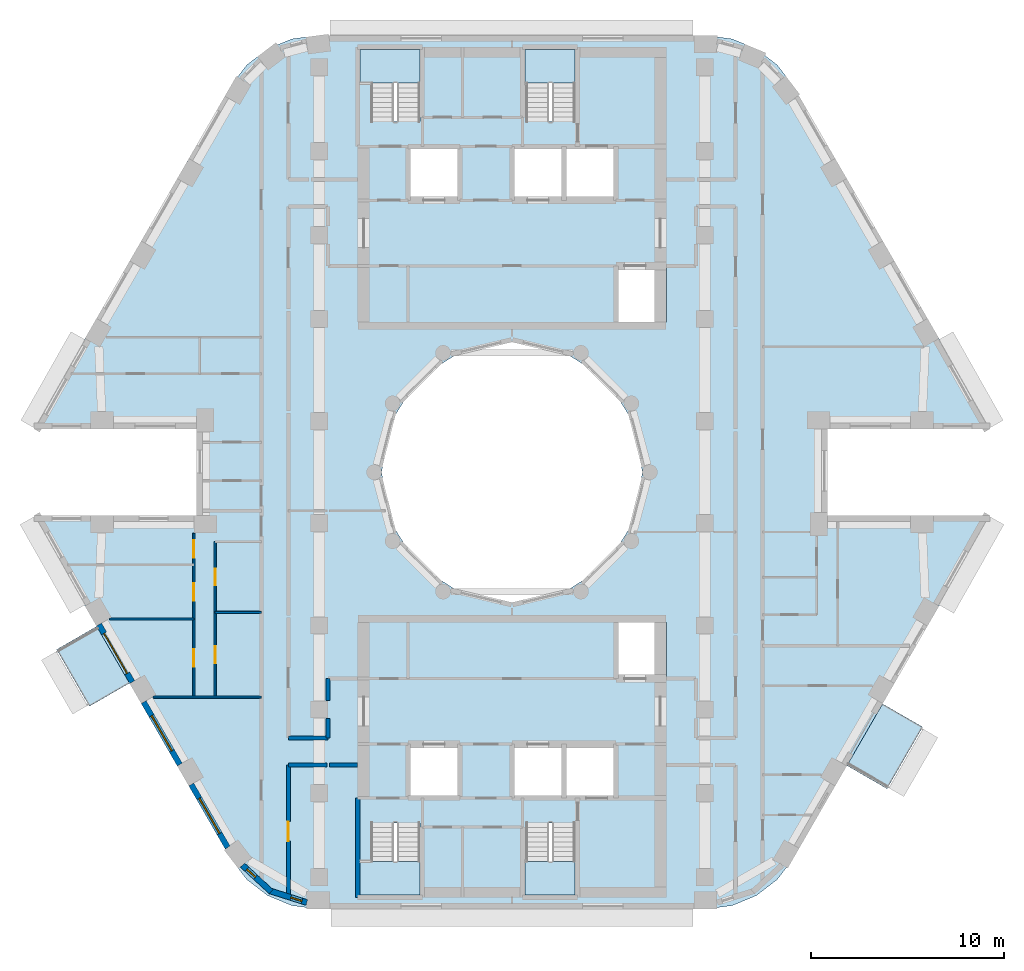
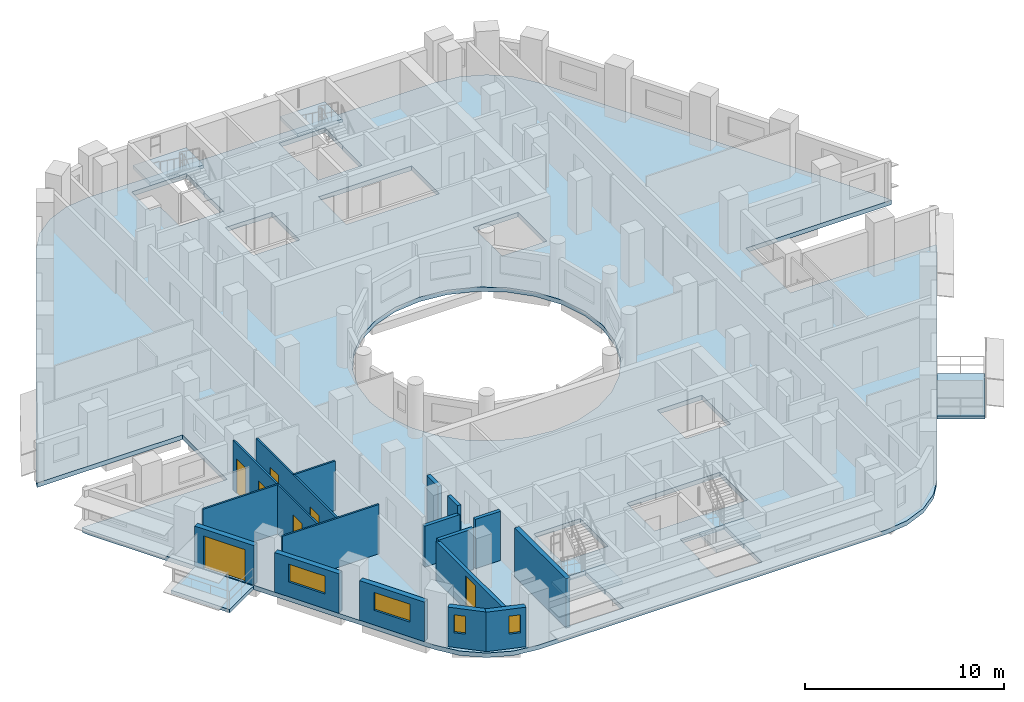
# One storey, part 2 of 15: 17 walls, 7 doors, 7 slabs, 4 windows, 11 openings, 4 elements without a shape of their own.
"""IFC4 building model written with IfcOpenShell, lengths in metres."""

from ifc_helpers import new_model, si_unit, direction, frame, frame_2d, origin, place, context, subcontext, project, spatial, polyline, rectangle, outline, extrude, material, layer, layer_set, type_object, element, fill, aggregate, save


model = new_model("IFC4")

# Units and contexts
model_context = context("Model", 3, precision=1e-05, world=origin(), true_north=direction((0.0, 1.0)))
body_context = subcontext(model_context, "Body", "Model", "MODEL_VIEW")
ifc_project = project(units=[si_unit("LENGTHUNIT", "METRE"), si_unit("AREAUNIT", "SQUARE_METRE"), si_unit("VOLUMEUNIT", "CUBIC_METRE"), si_unit("PLANEANGLEUNIT", "RADIAN"), si_unit("MASSUNIT", "GRAM", prefix="KILO")], contexts=[model_context])

# Site, building, storey
site_placement = place(None, origin())
site = spatial("IfcSite", under=ifc_project, at=site_placement, CompositionType="ELEMENT")
building_placement = place(site_placement, origin())
building = spatial("IfcBuilding", under=site, at=building_placement, Name="Nakaniwa Court", CompositionType="ELEMENT")
storey_placement = place(building_placement, frame((0.0, 0.0, 213.0)))
storey = spatial("IfcBuildingStorey", under=building, at=storey_placement, Name="L56", CompositionType="ELEMENT", Elevation=213.0)

# Slabs
ifc_material_1 = material(Name="Charcoal ceramic paver")
ifc_layer_1 = layer(ifc_material_1, 0.02, Name="Ceramic paver")
ifc_material_2 = material(Name="Cement sand screed")
ifc_layer_2 = layer(ifc_material_2, 0.03, Name="Falls screed")
ifc_material_3 = material(Name="Concrete C40/50", Category="concrete")
ifc_layer_3 = layer(ifc_material_3, 0.15, Name="Balcony slab")
ifc_layer_set_1 = layer_set([ifc_layer_1, ifc_layer_2, ifc_layer_3], Name="Concrete C40/50 balcony slab with ceramic paver finish")
slab_type_1 = type_object("IfcSlabType", Name="Balcony slab 200", PredefinedType="FLOOR", material=ifc_layer_set_1)
slab_1_placement = place(storey_placement, frame((0.0, 0.0, -0.25)))
element("IfcSlab", 1, at=slab_1_placement, inside=storey, type_object=slab_type_1, Name="L56 balcony 01", PredefinedType="FLOOR", context=body_context, shape_type="SweptSolid", body=[
    extrude(outline(polyline([(58.46142578125, 72.005859375), (60.160888671875, 69.062255859375), (58.08251953125, 67.8623046875), (56.383056640625, 70.805908203125), (58.46142578125, 72.005859375)])), origin(), (0.0, 0.0, 1.0), 0.199951171875),
])
slab_2_placement = place(storey_placement, frame((0.0, 0.0, -0.25)))
element("IfcSlab", 2, at=slab_2_placement, inside=storey, type_object=slab_type_1, Name="L56 balcony 02", PredefinedType="FLOOR", context=body_context, shape_type="SweptSolid", body=[
    extrude(outline(polyline([(97.370849609375, 64.787353515625), (99.218994140625, 67.98828125), (101.297607421875, 66.788330078125), (99.44921875, 63.58740234375), (97.370849609375, 64.787353515625)])), origin(), (0.0, 0.0, 1.0), 0.199951171875),
])
ifc_material_4 = material(Name="Concrete C80/100", Category="concrete")
ifc_layer_4 = layer(ifc_material_4, 0.27490234375)
ifc_layer_set_2 = layer_set([ifc_layer_4], Name="Concrete C80/100")
slab_type_2 = type_object("IfcSlabType", Name="Concrete C80/100 post tensioned floor slab 275", PredefinedType="FLOOR", material=ifc_layer_set_2)
slab_3_placement = place(storey_placement, frame((0.0, 0.0, -0.27490234375)))
element("IfcSlab", 3, at=slab_3_placement, inside=storey, type_object=slab_type_2, Name="FLOOR SLAB", PredefinedType="FLOOR", context=body_context, shape_type="SweptSolid", body=[
    extrude(outline(polyline([(96.349609375, 82.25), (104.7978515625, 82.25), (104.65283203125, 82.60009765625), (94.578125, 100.050048828125), (93.751708984375, 101.126953125), (92.6748046875, 101.953369140625), (91.420654296875, 102.472900390625), (90.07470703125, 102.64990234375), (69.92529296875, 102.64990234375), (68.579345703125, 102.472900390625), (67.3251953125, 101.953369140625), (66.248291015625, 101.126953125), (65.421875, 100.050048828125), (55.34716796875, 82.60009765625), (55.2021484375, 82.25), (63.650390625, 82.25), (63.650390625, 77.75), (55.2021484375, 77.75), (55.34716796875, 77.39990234375), (65.421875, 59.949951171875), (66.248291015625, 58.873046875), (67.3251953125, 58.046630859375), (68.579345703125, 57.527099609375), (69.92529296875, 57.35009765625), (90.07470703125, 57.35009765625), (91.420654296875, 57.527099609375), (92.6748046875, 58.046630859375), (93.751708984375, 58.873046875), (94.578125, 59.949951171875), (104.65283203125, 77.39990234375), (104.7978515625, 77.75), (96.349609375, 77.75), (96.349609375, 82.25)]), holes=[polyline([(81.501953125, 86.580810546875), (80.0, 86.75), (78.498046875, 86.580810546875), (77.0712890625, 86.08154296875), (75.79150390625, 85.27734375), (74.72265625, 84.20849609375), (73.91845703125, 82.9287109375), (73.419189453125, 81.501953125), (73.25, 80.0), (73.419189453125, 78.498046875), (73.91845703125, 77.0712890625), (74.72265625, 75.79150390625), (75.79150390625, 74.72265625), (77.0712890625, 73.91845703125), (78.498046875, 73.419189453125), (80.0, 73.25), (81.501953125, 73.419189453125), (82.9287109375, 73.91845703125), (84.20849609375, 74.72265625), (85.27734375, 75.79150390625), (86.08154296875, 77.0712890625), (86.580810546875, 78.498046875), (86.75, 80.0), (86.580810546875, 81.501953125), (86.08154296875, 82.9287109375), (85.27734375, 84.20849609375), (84.20849609375, 85.27734375), (82.9287109375, 86.08154296875), (81.501953125, 86.580810546875)]), polyline([(72.675048828125, 61.81005859375), (72.675048828125, 59.864990234375), (72.0849609375, 59.864990234375), (72.0849609375, 58.034912109375), (75.264892578125, 58.034912109375), (75.264892578125, 59.864990234375), (75.22509765625, 59.864990234375), (75.22509765625, 61.81005859375), (72.675048828125, 61.81005859375)]), polyline([(77.300048828125, 65.89990234375), (74.60009765625, 65.89990234375), (74.60009765625, 63.10009765625), (77.300048828125, 63.10009765625), (77.300048828125, 65.89990234375)]), polyline([(80.0, 65.89990234375), (80.0, 63.10009765625), (82.699951171875, 63.10009765625), (85.39990234375, 63.10009765625), (85.39990234375, 65.89990234375), (82.699951171875, 65.89990234375), (80.0, 65.89990234375)]), polyline([(77.300048828125, 96.89990234375), (74.60009765625, 96.89990234375), (74.60009765625, 94.10009765625), (77.300048828125, 94.10009765625), (77.300048828125, 96.89990234375)]), polyline([(80.0, 96.89990234375), (80.0, 94.10009765625), (82.699951171875, 94.10009765625), (85.39990234375, 94.10009765625), (85.39990234375, 96.89990234375), (82.699951171875, 96.89990234375), (80.0, 96.89990234375)]), polyline([(75.264892578125, 100.135009765625), (75.264892578125, 101.965087890625), (72.0849609375, 101.965087890625), (72.0849609375, 100.135009765625), (72.675048828125, 100.135009765625), (72.675048828125, 98.18994140625), (75.22509765625, 98.18994140625), (75.22509765625, 100.135009765625), (75.264892578125, 100.135009765625)]), polyline([(83.27490234375, 61.81005859375), (80.72509765625, 61.81005859375), (80.72509765625, 59.864990234375), (80.635009765625, 59.864990234375), (80.635009765625, 58.034912109375), (83.31494140625, 58.034912109375), (83.31494140625, 59.864990234375), (83.27490234375, 59.864990234375), (83.27490234375, 61.81005859375)]), polyline([(88.0, 72.199951171875), (85.39990234375, 72.199951171875), (85.39990234375, 69.300048828125), (88.0, 69.300048828125), (88.0, 72.199951171875)]), polyline([(88.0, 90.699951171875), (85.39990234375, 90.699951171875), (85.39990234375, 87.800048828125), (88.0, 87.800048828125), (88.0, 90.699951171875)]), polyline([(83.31494140625, 100.135009765625), (83.31494140625, 101.965087890625), (80.635009765625, 101.965087890625), (80.635009765625, 100.135009765625), (80.72509765625, 100.135009765625), (80.72509765625, 98.18994140625), (83.27490234375, 98.18994140625), (83.27490234375, 100.135009765625), (83.31494140625, 100.135009765625)])]), origin(), (0.0, 0.0, 1.0), 0.27490234375),
])

# Stair, slab
stair_type = type_object("IfcStairType", Name="Dog leg stair 1200 wide 18 risers", PredefinedType="HALF_TURN_STAIR", material=ifc_material_4)
stair_1_placement = place(storey_placement, origin())
stair_1 = element("IfcStair", 4, at=stair_1_placement, inside=storey, type_object=stair_type, Name="L56 Stair ST1", PredefinedType="HALF_TURN_STAIR")
ifc_layer_5 = layer(ifc_material_4, 0.199951171875)
ifc_layer_set_3 = layer_set([ifc_layer_5], Name="Concrete C80/100")
slab_type_3 = type_object("IfcSlabType", Name="Stair landing concrete", PredefinedType="LANDING", material=ifc_layer_set_3)
slab_4_placement = place(storey_placement, frame((0.0, 0.0, 1.449951171875)))
slab_4 = element("IfcSlab", 5, at=slab_4_placement, type_object=slab_type_3, Name="ST1 landing 1", PredefinedType="LANDING", context=body_context, shape_type="SweptSolid", body=[
    extrude(outline(polyline([(75.22509765625, 100.175048828125), (75.22509765625, 101.925048828125), (72.125, 101.925048828125), (72.125, 100.175048828125), (75.22509765625, 100.175048828125)])), origin(), (0.0, 0.0, 1.0), 0.199951171875),
])
aggregate(stair_1, [slab_4])

stair_2_placement = place(storey_placement, origin())
stair_2 = element("IfcStair", 6, at=stair_2_placement, inside=storey, type_object=stair_type, Name="L56 Stair ST2", PredefinedType="HALF_TURN_STAIR")
slab_5_placement = place(storey_placement, frame((0.0, 0.0, 1.449951171875)))
slab_5 = element("IfcSlab", 7, at=slab_5_placement, type_object=slab_type_3, Name="ST2 landing 1", PredefinedType="LANDING", context=body_context, shape_type="SweptSolid", body=[
    extrude(outline(polyline([(83.27490234375, 100.175048828125), (83.27490234375, 101.925048828125), (80.675048828125, 101.925048828125), (80.675048828125, 100.175048828125), (83.27490234375, 100.175048828125)])), origin(), (0.0, 0.0, 1.0), 0.199951171875),
])
aggregate(stair_2, [slab_5])

stair_3_placement = place(storey_placement, origin())
stair_3 = element("IfcStair", 8, at=stair_3_placement, inside=storey, type_object=stair_type, Name="L56 Stair ST3", PredefinedType="HALF_TURN_STAIR")
slab_6_placement = place(storey_placement, frame((0.0, 0.0, 1.449951171875)))
slab_6 = element("IfcSlab", 9, at=slab_6_placement, type_object=slab_type_3, Name="ST3 landing 1", PredefinedType="LANDING", context=body_context, shape_type="SweptSolid", body=[
    extrude(outline(polyline([(75.22509765625, 58.074951171875), (75.22509765625, 59.824951171875), (72.125, 59.824951171875), (72.125, 58.074951171875), (75.22509765625, 58.074951171875)])), origin(), (0.0, 0.0, 1.0), 0.199951171875),
])
aggregate(stair_3, [slab_6])

stair_4_placement = place(storey_placement, origin())
stair_4 = element("IfcStair", 10, at=stair_4_placement, inside=storey, type_object=stair_type, Name="L56 Stair ST4", PredefinedType="HALF_TURN_STAIR")
slab_7_placement = place(storey_placement, frame((0.0, 0.0, 1.449951171875)))
slab_7 = element("IfcSlab", 11, at=slab_7_placement, type_object=slab_type_3, Name="ST4 landing 1", PredefinedType="LANDING", context=body_context, shape_type="SweptSolid", body=[
    extrude(outline(polyline([(83.27490234375, 58.074951171875), (83.27490234375, 59.824951171875), (80.675048828125, 59.824951171875), (80.675048828125, 58.074951171875), (83.27490234375, 58.074951171875)])), origin(), (0.0, 0.0, 1.0), 0.199951171875),
])
aggregate(stair_4, [slab_7])

# Walls
ifc_material_5 = material(Name="Acoustic double stud partition")
ifc_layer_6 = layer(ifc_material_5, 0.199951171875)
ifc_layer_set_4 = layer_set([ifc_layer_6], Name="Acoustic double stud partition")
wall_type_1 = type_object("IfcWallType", Name="Acoustic double stud partition 200", PredefinedType="PARTITIONING", material=ifc_layer_set_4)
wall_1_placement = place(storey_placement, frame((68.39990234375, 64.824951171875, 0.0), z_axis=(0.0, 0.0, 1.0), x_axis=(1.0, 0.0, 0.0)))
element("IfcWall", 12, at=wall_1_placement, inside=storey, type_object=wall_type_1, Name="Partition PW-071", PredefinedType="PARTITIONING", context=body_context, shape_type="SweptSolid", body=[
    extrude(rectangle(XDim=2.012939453125, YDim=0.199951171875, at=frame_2d((1.00634765625, 0.0))), origin(), (0.0, 0.0, 1.0), 2.5048828125),
])
wall_2_placement = place(storey_placement, frame((70.527099609375, 64.824951171875, 0.0), z_axis=(0.0, 0.0, 1.0), x_axis=(1.0, 0.0, 0.0)))
element("IfcWall", 13, at=wall_2_placement, inside=storey, type_object=wall_type_1, Name="Partition PW-072", PredefinedType="PARTITIONING", context=body_context, shape_type="SweptSolid", body=[
    extrude(rectangle(XDim=1.472900390625, YDim=0.199951171875, at=frame_2d((0.736328125, 0.0))), origin(), (0.0, 0.0, 1.0), 3.02490234375),
])
wall_3_placement = place(storey_placement, frame((68.39990234375, 66.22509765625, 0.0), z_axis=(0.0, 0.0, 1.0), x_axis=(1.0, 0.0, 0.0)))
element("IfcWall", 14, at=wall_3_placement, inside=storey, type_object=wall_type_1, Name="Partition PW-082", PredefinedType="PARTITIONING", context=body_context, shape_type="SweptSolid", body=[
    extrude(rectangle(XDim=2.050048828125, YDim=0.199951171875, at=frame_2d((1.02490234375, 0.0))), origin(), (0.0, 0.0, 1.0), 2.5048828125),
])

# Wall, opening, door
wall_4_placement = place(storey_placement, frame((68.39990234375, 64.824951171875, 0.0), z_axis=(0.0, 0.0, 1.0), x_axis=(0.0, -1.0, 0.0)))
wall_4 = element("IfcWall", 15, at=wall_4_placement, inside=storey, type_object=wall_type_1, Name="Partition PW-092", PredefinedType="PARTITIONING", context=body_context, shape_type="SweptSolid", body=[
    extrude(rectangle(XDim=6.898681640625, YDim=0.199951171875, at=frame_2d((3.44921875, 0.0))), origin(), (0.0, 0.0, 1.0), 2.405029296875),
])
opening_1_placement = place(wall_4_placement, frame((2.949951171875, 0.0, 0.0)))
opening_1 = element("IfcOpeningElement", 16, at=opening_1_placement, cuts=wall_4, Name="Opening D-02-05", PredefinedType="OPENING", context=body_context, shape_type="SweptSolid", body=[
    extrude(rectangle(XDim=1.0, YDim=2.10009765625, at=frame_2d((0.5, 1.050048828125))), frame((0.0, 0.10986328125, 0.0), z_axis=(0.0, -1.0, 0.0), x_axis=(1.0, 0.0, 0.0)), (0.0, 0.0, 1.0), 0.219970703125),
])
ifc_material_6 = material(Name="Solid core timber door set, black veneer", Category="wood")
door_type_1 = type_object("IfcDoorType", Name="Internal door 1000", OperationType="NOTDEFINED", PredefinedType="DOOR", material=ifc_material_6)
door_1_placement = place(opening_1_placement, origin())
door_1 = element("IfcDoor", 17, at=door_1_placement, inside=storey, type_object=door_type_1, Name="Door D-02-05 L56-033", OperationType="SINGLE_SWING_RIGHT", OverallHeight=2.10009765625, OverallWidth=1.0, PredefinedType="DOOR", context=body_context, shape_type="SweptSolid", body=[
    extrude(rectangle(XDim=1.0, YDim=2.10009765625, at=frame_2d((0.5, 1.050048828125))), frame((0.0, 0.02490234375, 0.0), z_axis=(0.0, -1.0, 0.0), x_axis=(1.0, 0.0, 0.0)), (0.0, 0.0, 1.0), 0.050048828125),
])
fill(opening_1, door_1)

# Walls
wall_5_placement = place(storey_placement, frame((70.449951171875, 66.22509765625, 0.0), z_axis=(0.0, 0.0, 1.0), x_axis=(0.0, 1.0, 0.0)))
element("IfcWall", 18, at=wall_5_placement, inside=storey, type_object=wall_type_1, Name="Partition PW-098", PredefinedType="PARTITIONING", context=body_context, shape_type="SweptSolid", body=[
    extrude(rectangle(XDim=1.0078125, YDim=0.199951171875, at=frame_2d((0.50390625, 0.0))), origin(), (0.0, 0.0, 1.0), 3.02490234375),
])
wall_6_placement = place(storey_placement, frame((70.449951171875, 68.167236328125, 0.0), z_axis=(0.0, 0.0, 1.0), x_axis=(0.0, 1.0, 0.0)))
element("IfcWall", 19, at=wall_6_placement, inside=storey, type_object=wall_type_1, Name="Partition PW-099", PredefinedType="PARTITIONING", context=body_context, shape_type="SweptSolid", body=[
    extrude(rectangle(XDim=1.1328125, YDim=0.199951171875, at=frame_2d((0.56640625, 0.0))), origin(), (0.0, 0.0, 1.0), 3.02490234375),
])

# Wall, opening, door
ifc_material_7 = material(Name="Charcoal ceramic cladding")
ifc_layer_7 = layer(ifc_material_7, 0.02, Name="Ceramic cladding")
ifc_material_8 = material(Name="Ventilated air cavity")
ifc_layer_8 = layer(ifc_material_8, 0.04, ventilated=True, Name="Ventilated cavity")
ifc_material_9 = material(Name="Mineral wool insulation")
ifc_layer_9 = layer(ifc_material_9, 0.1, Name="Insulation")
ifc_material_10 = material(Name="Cement bonded sheathing board")
ifc_layer_10 = layer(ifc_material_10, 0.012, Name="Sheathing")
ifc_material_11 = material(Name="Cold-formed galvanised stud frame with mineral wool infill")
ifc_layer_11 = layer(ifc_material_11, 0.1, Name="Stud frame")
ifc_material_12 = material(Name="Fire-rated gypsum plasterboard lining")
ifc_layer_12 = layer(ifc_material_12, 0.028, Name="Lining")
ifc_layer_set_5 = layer_set([ifc_layer_7, ifc_layer_8, ifc_layer_9, ifc_layer_10, ifc_layer_11, ifc_layer_12], Name="Charcoal ceramic faced external wall system")
wall_type_2 = type_object("IfcWallType", Name="Black ceramic faced external wall 300", PredefinedType="SOLIDWALL", material=ifc_layer_set_5)
wall_7_placement = place(storey_placement, frame((58.579345703125, 72.101806640625, 0.0), z_axis=(0.0, 0.0, 1.0), x_axis=(0.499955427682, -0.866051136095, 0.0)))
wall_7 = element("IfcWall", 20, at=wall_7_placement, inside=storey, type_object=wall_type_2, Name="L56 external wall 21", PredefinedType="SOLIDWALL", context=body_context, shape_type="SweptSolid", body=[
    extrude(rectangle(XDim=3.447021484375, YDim=0.300048828125, at=frame_2d((1.7236328125, 0.0))), origin(), (0.0, 0.0, 1.0), 2.425048828125),
])
opening_2_placement = place(wall_7_placement, frame((0.5234375, 0.0, 0.0)))
opening_2 = element("IfcOpeningElement", 21, at=opening_2_placement, cuts=wall_7, Name="Opening XD13.01", PredefinedType="OPENING", context=body_context, shape_type="SweptSolid", body=[
    extrude(rectangle(XDim=2.39990234375, YDim=2.0, at=frame_2d((1.199951171875, 1.0))), frame((0.0, 0.159912109375, 0.0), z_axis=(0.0, -1.0, 0.0), x_axis=(1.0, 0.0, 0.0)), (0.0, 0.0, 1.0), 0.320068359375),
])
ifc_material_13 = material(Name="Black powder-coated aluminium frame with dark laminated glass", Category="aluminium")
door_type_2 = type_object("IfcDoorType", Name="Balcony sliding door 2400x2000", OperationType="DOUBLE_DOOR_SLIDING", PredefinedType="DOOR", material=ifc_material_13)
door_2_placement = place(opening_2_placement, origin())
door_2 = element("IfcDoor", 22, at=door_2_placement, inside=storey, type_object=door_type_2, Name="L56 balcony sliding door 01", OperationType="DOUBLE_DOOR_SLIDING", OverallHeight=2.0, OverallWidth=2.39990234375, PredefinedType="DOOR", context=body_context, shape_type="SweptSolid", body=[
    extrude(rectangle(XDim=2.39990234375, YDim=2.0, at=frame_2d((1.199951171875, 1.0))), frame((0.0, 0.02490234375, 0.0), z_axis=(0.0, -1.0, 0.0), x_axis=(1.0, 0.0, 0.0)), (0.0, 0.0, 1.0), 0.050048828125),
])
fill(opening_2, door_2)

# Wall, opening, window
wall_8_placement = place(storey_placement, frame((60.898681640625, 68.083984375, 0.0), z_axis=(0.0, 0.0, 1.0), x_axis=(0.500059225181, -0.86599120741, 0.0)))
wall_8 = element("IfcWall", 23, at=wall_8_placement, inside=storey, type_object=wall_type_2, Name="L56 external wall 22", PredefinedType="SOLIDWALL", context=body_context, shape_type="SweptSolid", body=[
    extrude(rectangle(XDim=3.744140625, YDim=0.300048828125, at=frame_2d((1.8720703125, 0.0))), origin(), (0.0, 0.0, 1.0), 2.425048828125),
])
opening_3_placement = place(wall_8_placement, frame((0.822265625, 0.0, 0.89990234375)))
opening_3 = element("IfcOpeningElement", 24, at=opening_3_placement, cuts=wall_8, Name="Opening W7.25", PredefinedType="OPENING", context=body_context, shape_type="SweptSolid", body=[
    extrude(rectangle(XDim=2.10009765625, YDim=1.10009765625, at=frame_2d((1.050048828125, 0.550048828125))), frame((0.0, 0.159912109375, 0.0), z_axis=(0.0, -1.0, 0.0), x_axis=(1.0, 0.0, 0.0)), (0.0, 0.0, 1.0), 0.320068359375),
])
ifc_material_14 = material(Name="Black anodised aluminium frame with dark low-E laminated double glazing", Category="aluminium")
window_type_1 = type_object("IfcWindowType", Name="Dark glass window 2100x1100 sill 900", PartitioningType="SINGLE_PANEL", PredefinedType="WINDOW", material=ifc_material_14)
window_1_placement = place(opening_3_placement, origin())
window_1 = element("IfcWindow", 25, at=window_1_placement, inside=storey, type_object=window_type_1, Name="L56 habitable room window 22-0", OverallHeight=1.10009765625, OverallWidth=2.10009765625, PartitioningType="SINGLE_PANEL", PredefinedType="WINDOW", context=body_context, shape_type="SweptSolid", body=[
    extrude(rectangle(XDim=2.10009765625, YDim=1.10009765625, at=frame_2d((1.050048828125, 0.550048828125))), frame((0.0, 0.030029296875, 0.0), z_axis=(0.0, -1.0, 0.0), x_axis=(1.0, 0.0, 0.0)), (0.0, 0.0, 1.0), 0.06005859375),
])
fill(opening_3, window_1)

wall_9_placement = place(storey_placement, frame((63.366943359375, 63.809326171875, 0.0), z_axis=(0.0, 0.0, 1.0), x_axis=(0.499961087031, -0.866047869032, 0.0)))
wall_9 = element("IfcWall", 26, at=wall_9_placement, inside=storey, type_object=wall_type_2, Name="L56 external wall 23", PredefinedType="SOLIDWALL", context=body_context, shape_type="SweptSolid", body=[
    extrude(rectangle(XDim=3.778564453125, YDim=0.300048828125, at=frame_2d((1.88916015625, 0.0))), origin(), (0.0, 0.0, 1.0), 2.425048828125),
])
opening_4_placement = place(wall_9_placement, frame((0.827880859375, 0.0, 0.89990234375)))
opening_4 = element("IfcOpeningElement", 27, at=opening_4_placement, cuts=wall_9, Name="Opening W7.26", PredefinedType="OPENING", context=body_context, shape_type="SweptSolid", body=[
    extrude(rectangle(XDim=2.10009765625, YDim=1.10009765625, at=frame_2d((1.050048828125, 0.550048828125))), frame((0.0, 0.159912109375, 0.0), z_axis=(0.0, -1.0, 0.0), x_axis=(1.0, 0.0, 0.0)), (0.0, 0.0, 1.0), 0.320068359375),
])
window_2_placement = place(opening_4_placement, origin())
window_2 = element("IfcWindow", 28, at=window_2_placement, inside=storey, type_object=window_type_1, Name="L56 habitable room window 23-0", OverallHeight=1.10009765625, OverallWidth=2.10009765625, PartitioningType="SINGLE_PANEL", PredefinedType="WINDOW", context=body_context, shape_type="SweptSolid", body=[
    extrude(rectangle(XDim=2.10009765625, YDim=1.10009765625, at=frame_2d((1.050048828125, 0.550048828125))), frame((0.0, 0.030029296875, 0.0), z_axis=(0.0, -1.0, 0.0), x_axis=(1.0, 0.0, 0.0)), (0.0, 0.0, 1.0), 0.06005859375),
])
fill(opening_4, window_2)

wall_10_placement = place(storey_placement, frame((66.0224609375, 59.622314453125, 0.0), z_axis=(0.0, 0.0, 1.0), x_axis=(0.734627852992, -0.678470277616, 0.0)))
wall_10 = element("IfcWall", 29, at=wall_10_placement, inside=storey, type_object=wall_type_2, Name="L56 external wall 24", PredefinedType="SOLIDWALL", context=body_context, shape_type="SweptSolid", body=[
    extrude(rectangle(XDim=2.02587890625, YDim=0.300048828125, at=frame_2d((1.012939453125, 0.0))), origin(), (0.0, 0.0, 1.0), 2.425048828125),
])
opening_5_placement = place(wall_10_placement, frame((0.31298828125, 0.0, 0.89990234375)))
opening_5 = element("IfcOpeningElement", 30, at=opening_5_placement, cuts=wall_10, Name="Opening W8.27", PredefinedType="OPENING", context=body_context, shape_type="SweptSolid", body=[
    extrude(rectangle(XDim=0.60009765625, YDim=1.10009765625, at=frame_2d((0.300048828125, 0.550048828125))), frame((0.0, 0.159912109375, 0.0), z_axis=(0.0, -1.0, 0.0), x_axis=(1.0, 0.0, 0.0)), (0.0, 0.0, 1.0), 0.320068359375),
])
window_type_2 = type_object("IfcWindowType", Name="Dark glass window 600x1100 sill 900", PartitioningType="SINGLE_PANEL", PredefinedType="WINDOW", material=ifc_material_14)
window_3_placement = place(opening_5_placement, origin())
window_3 = element("IfcWindow", 31, at=window_3_placement, inside=storey, type_object=window_type_2, Name="L56 habitable room window 24-0", OverallHeight=1.10009765625, OverallWidth=0.60009765625, PartitioningType="SINGLE_PANEL", PredefinedType="WINDOW", context=body_context, shape_type="SweptSolid", body=[
    extrude(rectangle(XDim=0.60009765625, YDim=1.10009765625, at=frame_2d((0.300048828125, 0.550048828125))), frame((0.0, 0.030029296875, 0.0), z_axis=(0.0, -1.0, 0.0), x_axis=(1.0, 0.0, 0.0)), (0.0, 0.0, 1.0), 0.06005859375),
])
fill(opening_5, window_3)

wall_11_placement = place(storey_placement, frame((67.40576171875, 58.3017578125, 0.0), z_axis=(0.0, 0.0, 1.0), x_axis=(0.953537608367, -0.301274010545, 0.0)))
wall_11 = element("IfcWall", 32, at=wall_11_placement, inside=storey, type_object=wall_type_2, Name="L56 external wall 25", PredefinedType="SOLIDWALL", context=body_context, shape_type="SweptSolid", body=[
    extrude(rectangle(XDim=2.0478515625, YDim=0.300048828125, at=frame_2d((1.02392578125, 0.0))), origin(), (0.0, 0.0, 1.0), 2.425048828125),
])
opening_6_placement = place(wall_11_placement, frame((1.1796875, 0.0, 0.89990234375)))
opening_6 = element("IfcOpeningElement", 33, at=opening_6_placement, cuts=wall_11, Name="Opening W8.28", PredefinedType="OPENING", context=body_context, shape_type="SweptSolid", body=[
    extrude(rectangle(XDim=0.60009765625, YDim=1.10009765625, at=frame_2d((0.300048828125, 0.550048828125))), frame((0.0, 0.159912109375, 0.0), z_axis=(0.0, -1.0, 0.0), x_axis=(1.0, 0.0, 0.0)), (0.0, 0.0, 1.0), 0.320068359375),
])
window_4_placement = place(opening_6_placement, origin())
window_4 = element("IfcWindow", 34, at=window_4_placement, inside=storey, type_object=window_type_2, Name="L56 habitable room window 25-1", OverallHeight=1.10009765625, OverallWidth=0.60009765625, PartitioningType="SINGLE_PANEL", PredefinedType="WINDOW", context=body_context, shape_type="SweptSolid", body=[
    extrude(rectangle(XDim=0.60009765625, YDim=1.10009765625, at=frame_2d((0.300048828125, 0.550048828125))), frame((0.0, 0.030029296875, 0.0), z_axis=(0.0, -1.0, 0.0), x_axis=(1.0, 0.0, 0.0)), (0.0, 0.0, 1.0), 0.06005859375),
])
fill(opening_6, window_4)

# Walls
ifc_layer_13 = layer(ifc_material_4, 0.25)
ifc_layer_set_6 = layer_set([ifc_layer_13], Name="Concrete C80/100")
wall_type_3 = type_object("IfcWallType", Name="Concrete core wall 250 C80", PredefinedType="SHEAR", material=ifc_layer_set_6)
wall_12_placement = place(storey_placement, frame((72.0, 57.949951171875, -0.27490234375), z_axis=(0.0, 0.0, 1.0), x_axis=(0.0, 1.0, 0.0)))
element("IfcWall", 35, at=wall_12_placement, inside=storey, type_object=wall_type_3, Name="Core wall SW-55", PredefinedType="SHEAR", context=body_context, shape_type="SweptSolid", body=[
    extrude(rectangle(XDim=5.150146484375, YDim=0.25, at=frame_2d((2.5751953125, 0.0))), origin(), (0.0, 0.0, 1.0), 3.2998046875),
])
ifc_material_15 = material(Name="Single stud plasterboard partition")
ifc_layer_14 = layer(ifc_material_15, 0.10009765625)
ifc_layer_set_7 = layer_set([ifc_layer_14], Name="Single stud plasterboard partition")
wall_type_4 = type_object("IfcWallType", Name="Single stud plasterboard partition 100", PredefinedType="PARTITIONING", material=ifc_layer_set_7)
wall_13_placement = place(storey_placement, frame((64.59912109375, 72.735107421875, 0.0), z_axis=(0.0, 0.0, 1.0), x_axis=(1.0, 0.0, 0.0)))
element("IfcWall", 36, at=wall_13_placement, inside=storey, type_object=wall_type_4, Name="Partition PW-121", PredefinedType="PARTITIONING", context=body_context, shape_type="SweptSolid", body=[
    extrude(rectangle(XDim=2.39990234375, YDim=0.10009765625, at=frame_2d((1.199951171875, 0.0))), origin(), (0.0, 0.0, 1.0), 3.02490234375),
])

# Wall, openings, doors
wall_14_placement = place(storey_placement, frame((64.59912109375, 76.39990234375, 0.0), z_axis=(0.0, 0.0, 1.0), x_axis=(0.0, -1.0, 0.0)))
wall_14 = element("IfcWall", 37, at=wall_14_placement, inside=storey, type_object=wall_type_4, Name="Partition PW-122", PredefinedType="PARTITIONING", context=body_context, shape_type="SweptSolid", body=[
    extrude(rectangle(XDim=8.0625, YDim=0.10009765625, at=frame_2d((4.03125, 0.0))), origin(), (0.0, 0.0, 1.0), 3.02490234375),
])
opening_7_placement = place(wall_14_placement, frame((5.4130859375, 0.0, 0.0)))
opening_7 = element("IfcOpeningElement", 38, at=opening_7_placement, cuts=wall_14, Name="Opening D-33-05", PredefinedType="OPENING", context=body_context, shape_type="SweptSolid", body=[
    extrude(rectangle(XDim=0.89990234375, YDim=2.10009765625, at=frame_2d((0.449951171875, 1.050048828125))), frame((0.0, 0.06005859375, 0.0), z_axis=(0.0, -1.0, 0.0), x_axis=(1.0, 0.0, 0.0)), (0.0, 0.0, 1.0), 0.1201171875),
])
opening_8_placement = place(wall_14_placement, frame((1.407958984375, 0.0, 0.0)))
opening_8 = element("IfcOpeningElement", 39, at=opening_8_placement, cuts=wall_14, Name="Opening D-03-03", PredefinedType="OPENING", context=body_context, shape_type="SweptSolid", body=[
    extrude(rectangle(XDim=0.85009765625, YDim=2.10009765625, at=frame_2d((0.425048828125, 1.050048828125))), frame((0.0, 0.06005859375, 0.0), z_axis=(0.0, -1.0, 0.0), x_axis=(1.0, 0.0, 0.0)), (0.0, 0.0, 1.0), 0.1201171875),
])
ifc_material_16 = material(Name="Moisture sealed timber door set", Category="wood")
door_type_3 = type_object("IfcDoorType", Name="Bathroom door 850", OperationType="NOTDEFINED", PredefinedType="DOOR", material=ifc_material_16)
door_3_placement = place(opening_8_placement, origin())
door_3 = element("IfcDoor", 40, at=door_3_placement, inside=storey, type_object=door_type_3, Name="Door D-03-03 L56-037", OperationType="SINGLE_SWING_RIGHT", OverallHeight=2.10009765625, OverallWidth=0.85009765625, PredefinedType="DOOR", context=body_context, shape_type="SweptSolid", body=[
    extrude(rectangle(XDim=0.85009765625, YDim=2.10009765625, at=frame_2d((0.425048828125, 1.050048828125))), frame((0.0, 0.02490234375, 0.0), z_axis=(0.0, -1.0, 0.0), x_axis=(1.0, 0.0, 0.0)), (0.0, 0.0, 1.0), 0.050048828125),
])
fill(opening_8, door_3)
door_type_4 = type_object("IfcDoorType", Name="Internal door 900", OperationType="NOTDEFINED", PredefinedType="DOOR", material=ifc_material_6)
door_4_placement = place(opening_7_placement, origin())
door_4 = element("IfcDoor", 41, at=door_4_placement, inside=storey, type_object=door_type_4, Name="Door D-33-05 L56-036", OperationType="SINGLE_SWING_LEFT", OverallHeight=2.10009765625, OverallWidth=0.89990234375, PredefinedType="DOOR", context=body_context, shape_type="SweptSolid", body=[
    extrude(rectangle(XDim=0.89990234375, YDim=2.10009765625, at=frame_2d((0.449951171875, 1.050048828125))), frame((0.0, 0.02490234375, 0.0), z_axis=(0.0, -1.0, 0.0), x_axis=(1.0, 0.0, 0.0)), (0.0, 0.0, 1.0), 0.050048828125),
])
fill(opening_7, door_4)

# Wall
wall_15_placement = place(storey_placement, frame((61.3857421875, 68.337890625, 0.0), z_axis=(0.0, 0.0, 1.0), x_axis=(1.0, 0.0, 0.0)))
element("IfcWall", 42, at=wall_15_placement, inside=storey, type_object=wall_type_4, Name="Partition PW-123", PredefinedType="PARTITIONING", context=body_context, shape_type="SweptSolid", body=[
    extrude(rectangle(XDim=5.61328125, YDim=0.10009765625, at=frame_2d((2.806640625, 0.0))), origin(), (0.0, 0.0, 1.0), 3.02490234375),
])

# Wall, openings, doors
wall_16_placement = place(storey_placement, frame((63.4990234375, 68.33740234375, 0.0), z_axis=(0.0, 0.0, 1.0), x_axis=(0.0, 1.0, 0.0)))
wall_16 = element("IfcWall", 43, at=wall_16_placement, inside=storey, type_object=wall_type_4, Name="Partition PW-125", PredefinedType="PARTITIONING", context=body_context, shape_type="SweptSolid", body=[
    extrude(rectangle(XDim=8.49267578125, YDim=0.10009765625, at=frame_2d((4.246337890625, 0.0))), origin(), (0.0, 0.0, 1.0), 3.02490234375),
])
opening_9_placement = place(wall_16_placement, frame((1.575927734375, 0.0, 0.0)))
opening_9 = element("IfcOpeningElement", 44, at=opening_9_placement, cuts=wall_16, Name="Opening D-33-06", PredefinedType="OPENING", context=body_context, shape_type="SweptSolid", body=[
    extrude(rectangle(XDim=0.89990234375, YDim=2.10009765625, at=frame_2d((0.449951171875, 1.050048828125))), frame((0.0, 0.06005859375, 0.0), z_axis=(0.0, -1.0, 0.0), x_axis=(1.0, 0.0, 0.0)), (0.0, 0.0, 1.0), 0.1201171875),
])
opening_10_placement = place(wall_16_placement, frame((5.0048828125, 0.0, 0.0)))
opening_10 = element("IfcOpeningElement", 45, at=opening_10_placement, cuts=wall_16, Name="Opening D-33-07", PredefinedType="OPENING", context=body_context, shape_type="SweptSolid", body=[
    extrude(rectangle(XDim=0.89990234375, YDim=2.10009765625, at=frame_2d((0.449951171875, 1.050048828125))), frame((0.0, 0.06005859375, 0.0), z_axis=(0.0, -1.0, 0.0), x_axis=(1.0, 0.0, 0.0)), (0.0, 0.0, 1.0), 0.1201171875),
])
opening_11_placement = place(wall_16_placement, frame((7.22509765625, 0.0, 0.0)))
opening_11 = element("IfcOpeningElement", 46, at=opening_11_placement, cuts=wall_16, Name="Opening D-33-08", PredefinedType="OPENING", context=body_context, shape_type="SweptSolid", body=[
    extrude(rectangle(XDim=0.89990234375, YDim=2.10009765625, at=frame_2d((0.449951171875, 1.050048828125))), frame((0.0, 0.06005859375, 0.0), z_axis=(0.0, -1.0, 0.0), x_axis=(1.0, 0.0, 0.0)), (0.0, 0.0, 1.0), 0.1201171875),
])
door_5_placement = place(opening_9_placement, origin())
door_5 = element("IfcDoor", 47, at=door_5_placement, inside=storey, type_object=door_type_4, Name="Door D-33-06 L56-038", OperationType="SINGLE_SWING_LEFT", OverallHeight=2.10009765625, OverallWidth=0.89990234375, PredefinedType="DOOR", context=body_context, shape_type="SweptSolid", body=[
    extrude(rectangle(XDim=0.89990234375, YDim=2.10009765625, at=frame_2d((0.449951171875, 1.050048828125))), frame((0.0, 0.02490234375, 0.0), z_axis=(0.0, -1.0, 0.0), x_axis=(1.0, 0.0, 0.0)), (0.0, 0.0, 1.0), 0.050048828125),
])
fill(opening_9, door_5)
door_6_placement = place(opening_10_placement, origin())
door_6 = element("IfcDoor", 48, at=door_6_placement, inside=storey, type_object=door_type_4, Name="Door D-33-07 L56-039", OperationType="SINGLE_SWING_RIGHT", OverallHeight=2.10009765625, OverallWidth=0.89990234375, PredefinedType="DOOR", context=body_context, shape_type="SweptSolid", body=[
    extrude(rectangle(XDim=0.89990234375, YDim=2.10009765625, at=frame_2d((0.449951171875, 1.050048828125))), frame((0.0, 0.02490234375, 0.0), z_axis=(0.0, -1.0, 0.0), x_axis=(1.0, 0.0, 0.0)), (0.0, 0.0, 1.0), 0.050048828125),
])
fill(opening_10, door_6)
door_7_placement = place(opening_11_placement, origin())
door_7 = element("IfcDoor", 49, at=door_7_placement, inside=storey, type_object=door_type_4, Name="Door D-33-08 L56-040", OperationType="SINGLE_SWING_LEFT", OverallHeight=2.10009765625, OverallWidth=0.89990234375, PredefinedType="DOOR", context=body_context, shape_type="SweptSolid", body=[
    extrude(rectangle(XDim=0.89990234375, YDim=2.10009765625, at=frame_2d((0.449951171875, 1.050048828125))), frame((0.0, 0.02490234375, 0.0), z_axis=(0.0, -1.0, 0.0), x_axis=(1.0, 0.0, 0.0)), (0.0, 0.0, 1.0), 0.050048828125),
])
fill(opening_11, door_7)

# Wall
wall_17_placement = place(storey_placement, frame((59.1259765625, 72.388916015625, 0.0), z_axis=(0.0, 0.0, 1.0), x_axis=(1.0, 0.0, 0.0)))
element("IfcWall", 50, at=wall_17_placement, inside=storey, type_object=wall_type_4, Name="Partition PW-127", PredefinedType="PARTITIONING", context=body_context, shape_type="SweptSolid", body=[
    extrude(rectangle(XDim=4.373046875, YDim=0.10009765625, at=frame_2d((2.1865234375, 0.0))), origin(), (0.0, 0.0, 1.0), 3.02490234375),
])

save(model, "model.ifc")
